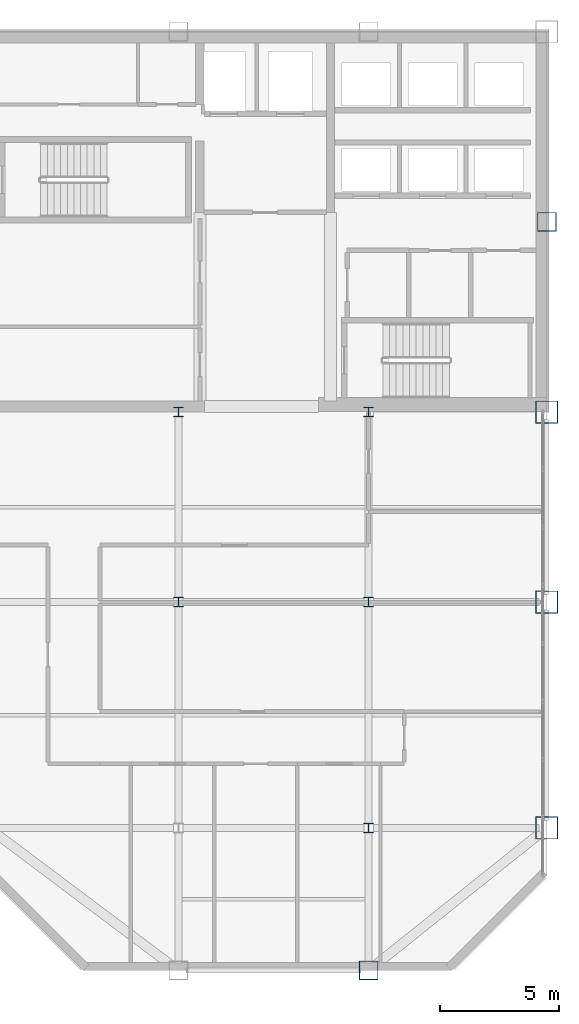
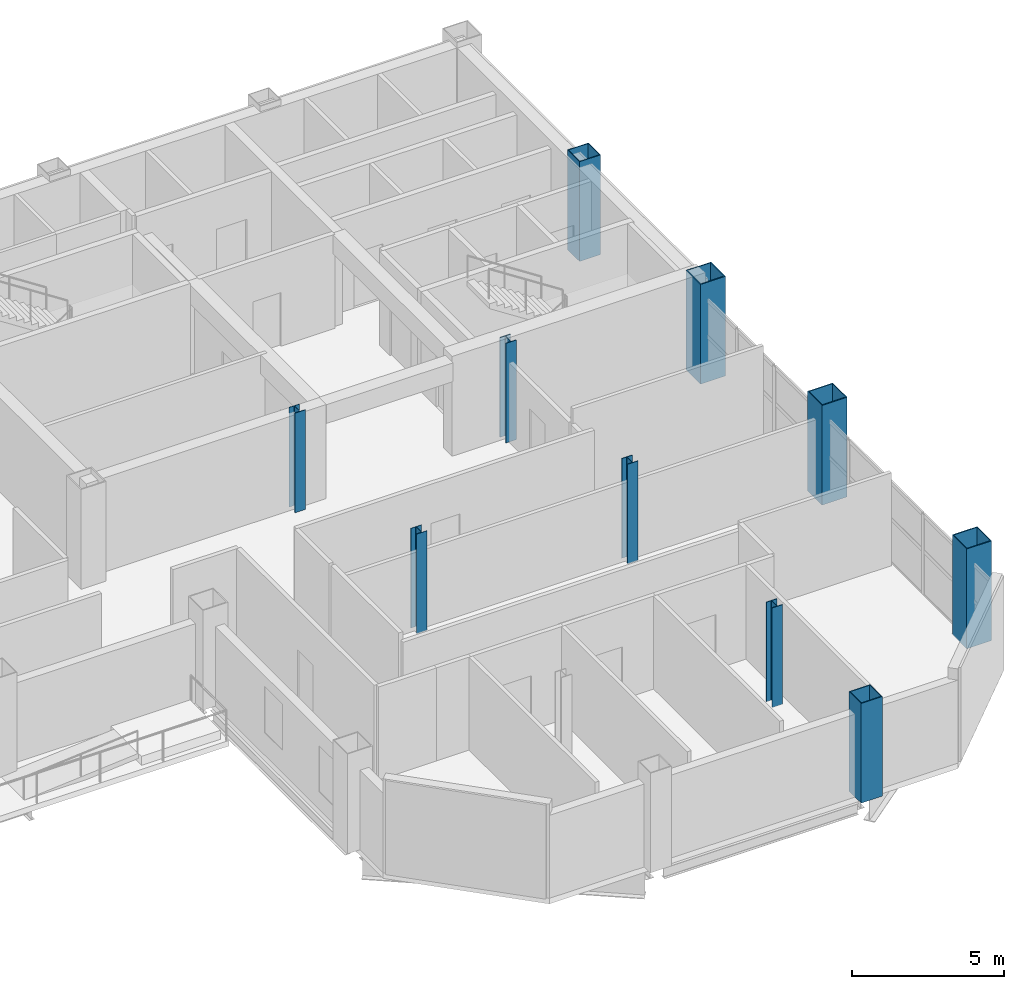
# One storey, part 2 of 14: 10 columns.
"""IFC4 building model written with IfcOpenShell, lengths in metres."""

from ifc_helpers import new_model, si_unit, direction, frame, origin, origin_2d, place, context, subcontext, project, spatial, hollow_rectangle, i_section, extrude, material, material_profile, profile_set, type_object, element, save


model = new_model("IFC4")

# Units and contexts
model_context = context("Model", 3, precision=1e-05, world=origin(), true_north=direction((0.0, 1.0)))
body_context = subcontext(model_context, "Body", "Model", "MODEL_VIEW")
ifc_project = project(units=[si_unit("LENGTHUNIT", "METRE"), si_unit("AREAUNIT", "SQUARE_METRE"), si_unit("VOLUMEUNIT", "CUBIC_METRE"), si_unit("PLANEANGLEUNIT", "RADIAN"), si_unit("MASSUNIT", "GRAM", prefix="KILO")], contexts=[model_context])

# Site, building, storey
site_placement = place(None, origin())
site = spatial("IfcSite", under=ifc_project, at=site_placement, CompositionType="ELEMENT")
building_placement = place(site_placement, origin())
building = spatial("IfcBuilding", under=site, at=building_placement, Name="Qianrong Seaharbour Tower", CompositionType="ELEMENT")
storey_placement = place(building_placement, frame((0.0, 0.0, 209.800048828125)))
storey = spatial("IfcBuildingStorey", under=building, at=storey_placement, Name="L50", CompositionType="ELEMENT", Elevation=209.800048828125)

# Columns
ifc_material = material(Name="Structural steel SN490B", Category="steel")
ifc_material_profile_1 = material_profile(ifc_material, hollow_rectangle(XDim=0.949951171875, YDim=0.949951171875, WallThickness=0.035888671875, at=origin_2d()), Name="BOX950x950x36")
ifc_profile_set_1 = profile_set([ifc_material_profile_1], Name="Structural steel SN490B")
column_type_1 = type_object("IfcColumnType", Name="COL-CFT-950", PredefinedType="COLUMN", material=ifc_profile_set_1)
for number, where, z_axis, x_axis, name in (
    (1, (64.0, 18.5, 0.0), (0.0, 0.0, 1.0), (1.0, 0.0, 0.0), "L50 Column MC-4 at G9/GD"),
    (2, (64.0, 28.0, 0.0), (0.0, 0.0, 1.0), (1.0, 0.0, 0.0), "L50 Column MC-4 at G9/GE"),
    (3, (64.0, 36.0, 0.0), (0.0, 0.0, 1.0), (1.0, 0.0, 0.0), "L50 Column MC-4 at G9/GF"),
):
    element("IfcColumn", number, at=place(storey_placement, frame(where, z_axis=z_axis, x_axis=x_axis)), inside=storey, type_object=column_type_1, Name=name, PredefinedType="COLUMN", context=body_context, shape_type="SweptSolid", body=[
        extrude(hollow_rectangle(XDim=0.949951171875, YDim=0.949951171875, WallThickness=0.035888671875, at=origin_2d()), origin(), (0.0, 0.0, 1.0), 4.0),
    ])
ifc_material_profile_2 = material_profile(ifc_material, i_section(OverallWidth=0.39990234375, OverallDepth=0.39990234375, WebThickness=0.012939453125, FlangeThickness=0.02099609375, FilletRadius=0.02197265625, at=origin_2d()), Name="H400x400x13x21")
ifc_profile_set_2 = profile_set([ifc_material_profile_2], Name="Structural steel SN490B")
column_type_2 = type_object("IfcColumnType", Name="COL-INT-H400", PredefinedType="COLUMN", material=ifc_profile_set_2)
for number, where, z_axis, x_axis, name in (
    (4, (48.5, 28.0, 0.0), (0.0, 0.0, 1.0), (1.0, 0.0, 0.0), "L50 Column IC-3 at G7/GE"),
    (5, (48.5, 36.0, 0.0), (0.0, 0.0, 1.0), (1.0, 0.0, 0.0), "L50 Column IC-3 at G7/GF"),
    (6, (56.5, 18.5, 0.0), (0.0, 0.0, 1.0), (1.0, 0.0, 0.0), "L50 Column IC-3 at G8/GD"),
    (7, (56.5, 28.0, 0.0), (0.0, 0.0, 1.0), (1.0, 0.0, 0.0), "L50 Column IC-3 at G8/GE"),
    (8, (56.5, 36.0, 0.0), (0.0, 0.0, 1.0), (1.0, 0.0, 0.0), "L50 Column IC-3 at G8/GF"),
):
    element("IfcColumn", number, at=place(storey_placement, frame(where, z_axis=z_axis, x_axis=x_axis)), inside=storey, type_object=column_type_2, Name=name, PredefinedType="COLUMN", context=body_context, shape_type="SweptSolid", body=[
        extrude(i_section(OverallWidth=0.39990234375, OverallDepth=0.39990234375, WebThickness=0.012939453125, FlangeThickness=0.02099609375, FilletRadius=0.02197265625, at=origin_2d()), origin(), (0.0, 0.0, 1.0), 4.0),
    ])
ifc_material_profile_3 = material_profile(ifc_material, hollow_rectangle(XDim=0.800048828125, YDim=0.800048828125, WallThickness=0.031982421875, at=origin_2d()), Name="BOX800x800x32")
ifc_profile_set_3 = profile_set([ifc_material_profile_3], Name="Structural steel SN490B")
column_type_3 = type_object("IfcColumnType", Name="COL-PER-800", PredefinedType="COLUMN", material=ifc_profile_set_3)
for number, where, z_axis, x_axis, name in (
    (9, (56.5, 12.5, 0.0), (0.0, 0.0, 1.0), (1.0, 0.0, 0.0), "L50 Column PC-3 at G8/GC"),
    (10, (64.0, 44.0, 0.0), (0.0, 0.0, 1.0), (1.0, 0.0, 0.0), "L50 Column PC-3 at G9/GG"),
):
    element("IfcColumn", number, at=place(storey_placement, frame(where, z_axis=z_axis, x_axis=x_axis)), inside=storey, type_object=column_type_3, Name=name, PredefinedType="COLUMN", context=body_context, shape_type="SweptSolid", body=[
        extrude(hollow_rectangle(XDim=0.800048828125, YDim=0.800048828125, WallThickness=0.031982421875, at=origin_2d()), origin(), (0.0, 0.0, 1.0), 4.0),
    ])

save(model, "model.ifc")
